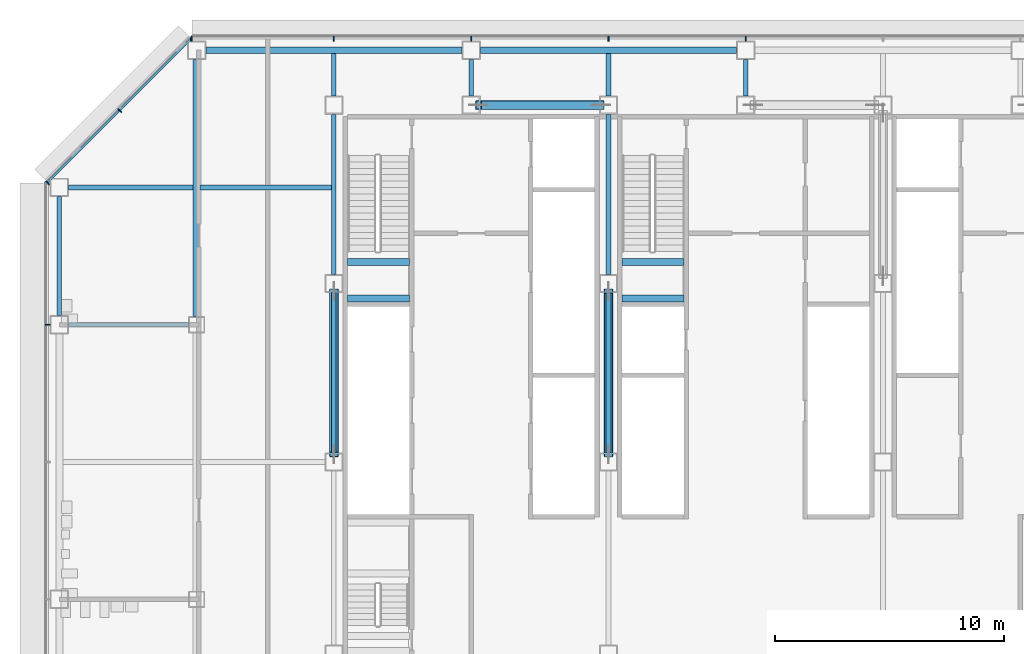
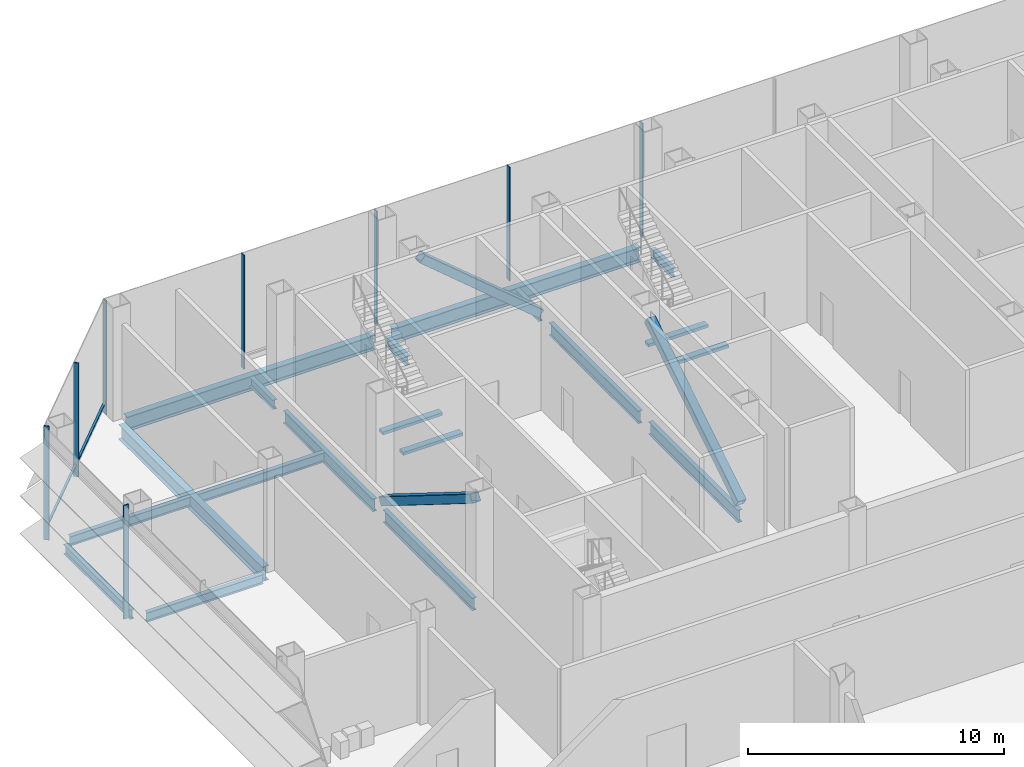
# One storey, part 9 of 23: 19 beams, 12 members, 3 elements without a shape of their own.
"""IFC4 building model written with IfcOpenShell, lengths in metres."""

from ifc_helpers import new_model, si_unit, direction, frame, origin, origin_2d, place, context, subcontext, project, spatial, rectangle, hollow_rectangle, i_section, extrude, material, material_profile, profile_set, type_object, element, aggregate, save


model = new_model("IFC4")

# Units and contexts
model_context = context("Model", 3, precision=1e-05, world=origin(), true_north=direction((0.0, 1.0)))
body_context = subcontext(model_context, "Body", "Model", "MODEL_VIEW")
ifc_project = project(units=[si_unit("LENGTHUNIT", "METRE"), si_unit("AREAUNIT", "SQUARE_METRE"), si_unit("VOLUMEUNIT", "CUBIC_METRE"), si_unit("PLANEANGLEUNIT", "RADIAN"), si_unit("MASSUNIT", "GRAM", prefix="KILO")], contexts=[model_context])

# Site, building, storey
site_placement = place(None, origin())
site = spatial("IfcSite", under=ifc_project, at=site_placement, CompositionType="ELEMENT")
building_placement = place(site_placement, origin())
building = spatial("IfcBuilding", under=site, at=building_placement, Name="Sorahane Residences", CompositionType="ELEMENT")
storey_placement = place(building_placement, frame((0.0, 0.0, 114.199951171875)))
storey = spatial("IfcBuildingStorey", under=building, at=storey_placement, Name="L25", CompositionType="ELEMENT", Elevation=114.199951171875)

# Members
ifc_material_1 = material(Name="Steel Q355B", Category="steel")
ifc_material_profile_1 = material_profile(ifc_material_1, hollow_rectangle(XDim=0.39990234375, YDim=0.39990234375, WallThickness=0.02001953125, InnerFilletRadius=0.010009765625, OuterFilletRadius=0.030029296875, at=origin_2d()), Name="RHS 400x400x20")
ifc_profile_set_1 = profile_set([ifc_material_profile_1], Name="Steel Q355B")
member_type_1 = type_object("IfcMemberType", Name="Core brace RHS 400x400x20 Q355B", PredefinedType="BRACE", material=ifc_profile_set_1)
member_1_placement = place(storey_placement, frame((17.67724609375, 45.60009765625, 0.13525390625), z_axis=(-0.76556525425, 0.0, 0.643358252831), x_axis=(0.0, -1.0, 0.0)))
element("IfcMember", 1, at=member_1_placement, inside=storey, type_object=member_type_1, Name="Core brace L25 y45.6-2", PredefinedType="BRACE", context=body_context, shape_type="SweptSolid", body=[
    extrude(hollow_rectangle(XDim=0.39990234375, YDim=0.39990234375, WallThickness=0.02001953125, InnerFilletRadius=0.010009765625, OuterFilletRadius=0.030029296875, at=origin_2d()), origin(), (0.0, 0.0, 1.0), 6.994140625),
])
for number, where, z_axis, x_axis, name in (
    (2, (6.0, 37.463623046875, 0.160400390625), (0.0, -0.848280598061, 0.529547001647), (1.0, 0.0, 0.0), "Core brace L25 x6-2"),
    (3, (18.0, 30.33642578125, 0.160400390625), (0.0, 0.848280598061, 0.529547001647), (-1.0, 0.0, 0.0), "Core brace L25 x18-1"),
):
    element("IfcMember", number, at=place(storey_placement, frame(where, z_axis=z_axis, x_axis=x_axis)), inside=storey, type_object=member_type_1, Name=name, PredefinedType="BRACE", context=body_context, shape_type="SweptSolid", body=[
        extrude(hollow_rectangle(XDim=0.39990234375, YDim=0.39990234375, WallThickness=0.02001953125, InnerFilletRadius=0.010009765625, OuterFilletRadius=0.030029296875, at=origin_2d()), origin(), (0.0, 0.0, 1.0), 8.40185546875),
    ])

# Curtain wall, members
ifc_material_2 = material(Name="Dark low-e glass and black anodised aluminium", Category="aluminium")
curtain_wall_type = type_object("IfcCurtainWallType", Name="Curtain wall CW-4 Sky floor frameless wall", PredefinedType="NOTDEFINED", material=ifc_material_2)
curtain_wall_1_placement = place(storey_placement, origin())
curtain_wall_1 = element("IfcCurtainWall", 4, at=curtain_wall_1_placement, inside=storey, type_object=curtain_wall_type, Name="CW-4 curtain wall L25 N1", PredefinedType="NOTDEFINED")
ifc_material_3 = material(Name="Black anodised aluminium", Category="aluminium")
ifc_material_profile_2 = material_profile(ifc_material_3, rectangle(XDim=0.219970703125, YDim=0.050048828125, at=origin_2d()), Name="Curtain wall mullion CW-4 black anodised aluminium 50x220")
ifc_profile_set_2 = profile_set([ifc_material_profile_2], Name="Black anodised aluminium")
member_type_2 = type_object("IfcMemberType", Name="Curtain wall mullion CW-4 black anodised aluminium 50x220", PredefinedType="MULLION", material=ifc_profile_set_2)
member_2_placement = place(storey_placement, frame((24.0, 48.510009765625, -0.219970703125), z_axis=(0.0, 0.0, 1.0), x_axis=(0.0, 1.0, 0.0)))
member_2 = element("IfcMember", 5, at=member_2_placement, type_object=member_type_2, Name="CW-4 mullion L25 N1.6", PredefinedType="MULLION", context=body_context, shape_type="SweptSolid", body=[
    extrude(rectangle(XDim=0.219970703125, YDim=0.050048828125, at=origin_2d()), origin(), (0.0, 0.0, 1.0), 5.43994140625),
])
member_3_placement = place(storey_placement, frame((18.0, 48.510009765625, -0.219970703125), z_axis=(0.0, 0.0, 1.0), x_axis=(0.0, 1.0, 0.0)))
member_3 = element("IfcMember", 6, at=member_3_placement, type_object=member_type_2, Name="CW-4 mullion L25 N1.7", PredefinedType="MULLION", context=body_context, shape_type="SweptSolid", body=[
    extrude(rectangle(XDim=0.219970703125, YDim=0.050048828125, at=origin_2d()), origin(), (0.0, 0.0, 1.0), 5.43994140625),
])
member_4_placement = place(storey_placement, frame((12.0, 48.510009765625, -0.219970703125), z_axis=(0.0, 0.0, 1.0), x_axis=(0.0, 1.0, 0.0)))
member_4 = element("IfcMember", 7, at=member_4_placement, type_object=member_type_2, Name="CW-4 mullion L25 N1.8", PredefinedType="MULLION", context=body_context, shape_type="SweptSolid", body=[
    extrude(rectangle(XDim=0.219970703125, YDim=0.050048828125, at=origin_2d()), origin(), (0.0, 0.0, 1.0), 5.43994140625),
])
member_5_placement = place(storey_placement, frame((6.0, 48.510009765625, -0.219970703125), z_axis=(0.0, 0.0, 1.0), x_axis=(0.0, 1.0, 0.0)))
member_5 = element("IfcMember", 8, at=member_5_placement, type_object=member_type_2, Name="CW-4 mullion L25 N1.9", PredefinedType="MULLION", context=body_context, shape_type="SweptSolid", body=[
    extrude(rectangle(XDim=0.219970703125, YDim=0.050048828125, at=origin_2d()), origin(), (0.0, 0.0, 1.0), 5.43994140625),
])
member_6_placement = place(storey_placement, frame((-0.2236328125, 48.510009765625, -0.219970703125), z_axis=(0.0, 0.0, 1.0), x_axis=(0.0, 1.0, 0.0)))
member_6 = element("IfcMember", 9, at=member_6_placement, type_object=member_type_2, Name="CW-4 mullion L25 N1.10", PredefinedType="MULLION", context=body_context, shape_type="SweptSolid", body=[
    extrude(rectangle(XDim=0.219970703125, YDim=0.050048828125, at=origin_2d()), origin(), (0.0, 0.0, 1.0), 5.43994140625),
])
aggregate(curtain_wall_1, [member_2, member_3, member_4, member_5, member_6])

curtain_wall_2_placement = place(storey_placement, origin())
curtain_wall_2 = element("IfcCurtainWall", 10, at=curtain_wall_2_placement, inside=storey, type_object=curtain_wall_type, Name="CW-4 curtain wall L25 NW1", PredefinedType="NOTDEFINED")
member_7_placement = place(storey_placement, frame((-3.360595703125, 45.360595703125, -0.219970703125), z_axis=(0.0, 0.0, 1.0), x_axis=(-0.707106781187, 0.707106781187, 0.0)))
member_7 = element("IfcMember", 11, at=member_7_placement, type_object=member_type_2, Name="CW-4 mullion L25 NW1.2", PredefinedType="MULLION", context=body_context, shape_type="SweptSolid", body=[
    extrude(rectangle(XDim=0.219970703125, YDim=0.050048828125, at=origin_2d()), origin(), (0.0, 0.0, 1.0), 5.43994140625),
])
member_8_placement = place(storey_placement, frame((-6.518798828125, 42.20263671875, -0.219970703125), z_axis=(0.0, 0.0, 1.0), x_axis=(-0.707106781187, 0.707106781187, 0.0)))
member_8 = element("IfcMember", 12, at=member_8_placement, type_object=member_type_2, Name="CW-4 mullion L25 NW1.3", PredefinedType="MULLION", context=body_context, shape_type="SweptSolid", body=[
    extrude(rectangle(XDim=0.219970703125, YDim=0.050048828125, at=origin_2d()), origin(), (0.0, 0.0, 1.0), 5.43994140625),
])

# Curtain wall, member
curtain_wall_3_placement = place(storey_placement, origin())
curtain_wall_3 = element("IfcCurtainWall", 13, at=curtain_wall_3_placement, inside=storey, type_object=curtain_wall_type, Name="CW-4 curtain wall L25 W1", PredefinedType="NOTDEFINED")
member_9_placement = place(storey_placement, frame((-6.510009765625, 36.0, -0.219970703125), z_axis=(0.0, 0.0, 1.0), x_axis=(-1.0, 0.0, 0.0)))
member_9 = element("IfcMember", 14, at=member_9_placement, type_object=member_type_2, Name="CW-4 mullion L25 W1.2", PredefinedType="MULLION", context=body_context, shape_type="SweptSolid", body=[
    extrude(rectangle(XDim=0.219970703125, YDim=0.050048828125, at=origin_2d()), origin(), (0.0, 0.0, 1.0), 5.43994140625),
])
aggregate(curtain_wall_3, [member_9])

# Member
ifc_material_4 = material(Name="Black anodised aluminium", Category="aluminium")
ifc_material_profile_3 = material_profile(ifc_material_4, rectangle(XDim=0.10009765625, YDim=0.06005859375, at=origin_2d()), Name="Curtain wall transom CW-4 black anodised aluminium 60x100")
ifc_profile_set_3 = profile_set([ifc_material_profile_3], Name="Black anodised aluminium")
member_type_3 = type_object("IfcMemberType", Name="Curtain wall transom CW-4 black anodised aluminium 60x100", PredefinedType="USERDEFINED", material=ifc_profile_set_3)
member_10_placement = place(storey_placement, frame((-0.234375, 48.51513671875, 0.35009765625), z_axis=(-0.707106781187, -0.707106781187, 0.0), x_axis=(0.707106781187, -0.707106781187, 0.0)))
member_10 = element("IfcMember", 15, at=member_10_placement, type_object=member_type_3, Name="CW-4 transom L25 NW1", ObjectType="TRANSOM", PredefinedType="USERDEFINED", context=body_context, shape_type="SweptSolid", body=[
    extrude(rectangle(XDim=0.10009765625, YDim=0.06005859375, at=origin_2d()), origin(), (0.0, 0.0, 1.0), 8.88232421875),
])

aggregate(curtain_wall_2, [member_7, member_8, member_10])

# Beams
ifc_material_5 = material(Name="Concrete C40", Category="concrete")
ifc_material_profile_4 = material_profile(ifc_material_5, rectangle(XDim=0.300048828125, YDim=0.139892578125, at=origin_2d()), Name="300x140")
ifc_profile_set_4 = profile_set([ifc_material_profile_4], Name="Concrete C40")
beam_type_1 = type_object("IfcBeamType", Name="RC landing beam 300 x 140 Concrete C40", PredefinedType="BEAM", material=ifc_profile_set_4)
for number, where, z_axis, x_axis, name in (
    (16, (6.60009765625, 37.14990234375, 2.429931640625), (1.0, 0.0, 0.0), (0.0, 1.0, 0.0), "Landing beam"),
    (17, (6.60009765625, 38.75, 2.429931640625), (1.0, 0.0, 0.0), (0.0, 1.0, 0.0), "Landing beam"),
    (18, (18.60009765625, 37.14990234375, 2.429931640625), (1.0, 0.0, 0.0), (0.0, 1.0, 0.0), "Landing beam"),
    (19, (18.60009765625, 38.75, 2.429931640625), (1.0, 0.0, 0.0), (0.0, 1.0, 0.0), "Landing beam"),
):
    element("IfcBeam", number, at=place(storey_placement, frame(where, z_axis=z_axis, x_axis=x_axis)), inside=storey, type_object=beam_type_1, Name=name, PredefinedType="BEAM", context=body_context, shape_type="SweptSolid", body=[
        extrude(rectangle(XDim=0.300048828125, YDim=0.139892578125, at=origin_2d()), origin(), (0.0, 0.0, 1.0), 2.699951171875),
    ])
ifc_material_6 = material(Name="Steel Q355B", Category="steel")
ifc_material_profile_5 = material_profile(ifc_material_6, i_section(OverallWidth=0.199951171875, OverallDepth=0.449951171875, WebThickness=0.009033203125, FlangeThickness=0.013916015625, FilletRadius=0.02001953125, at=origin_2d()), Name="HN 450x200x9x14")
ifc_profile_set_5 = profile_set([ifc_material_profile_5], Name="Steel Q355B")
beam_type_2 = type_object("IfcBeamType", Name="Steel floor beam HN 450x200x9x14 Q355B", PredefinedType="BEAM", material=ifc_profile_set_5)
beam_1_placement = place(storey_placement, frame((-5.60009765625, 36.0, -0.445068359375), z_axis=(1.0, 0.0, 0.0), x_axis=(0.0, 1.0, 0.0)))
element("IfcBeam", 20, at=beam_1_placement, inside=storey, type_object=beam_type_2, Name="Beam L25 013", PredefinedType="BEAM", context=body_context, shape_type="SweptSolid", body=[
    extrude(i_section(OverallWidth=0.199951171875, OverallDepth=0.449951171875, WebThickness=0.009033203125, FlangeThickness=0.013916015625, FilletRadius=0.02001953125, at=origin_2d()), origin(), (0.0, 0.0, 1.0), 5.25),
])
beam_2_placement = place(storey_placement, frame((-6.0, 36.39990234375, -0.445068359375), z_axis=(0.0, 1.0, 0.0), x_axis=(-1.0, 0.0, 0.0)))
element("IfcBeam", 21, at=beam_2_placement, inside=storey, type_object=beam_type_2, Name="Beam L25 023", PredefinedType="BEAM", context=body_context, shape_type="SweptSolid", body=[
    extrude(i_section(OverallWidth=0.199951171875, OverallDepth=0.449951171875, WebThickness=0.009033203125, FlangeThickness=0.013916015625, FilletRadius=0.02001953125, at=origin_2d()), origin(), (0.0, 0.0, 1.0), 5.2001953125),
])
beam_3_placement = place(storey_placement, frame((6.0, 46.0, -0.445068359375), z_axis=(0.0, 1.0, 0.0), x_axis=(-1.0, 0.0, 0.0)))
element("IfcBeam", 22, at=beam_3_placement, inside=storey, type_object=beam_type_2, Name="Beam L25 033", PredefinedType="BEAM", context=body_context, shape_type="SweptSolid", body=[
    extrude(i_section(OverallWidth=0.199951171875, OverallDepth=0.449951171875, WebThickness=0.009033203125, FlangeThickness=0.013916015625, FilletRadius=0.02001953125, at=origin_2d()), origin(), (0.0, 0.0, 1.0), 1.85009765625),
])
beam_4_placement = place(storey_placement, frame((12.0, 46.0, -0.445068359375), z_axis=(0.0, 1.0, 0.0), x_axis=(-1.0, 0.0, 0.0)))
element("IfcBeam", 23, at=beam_4_placement, inside=storey, type_object=beam_type_2, Name="Beam L25 035", PredefinedType="BEAM", context=body_context, shape_type="SweptSolid", body=[
    extrude(i_section(OverallWidth=0.199951171875, OverallDepth=0.449951171875, WebThickness=0.009033203125, FlangeThickness=0.013916015625, FilletRadius=0.02001953125, at=origin_2d()), origin(), (0.0, 0.0, 1.0), 1.60009765625),
])
beam_5_placement = place(storey_placement, frame((18.0, 46.0, -0.445068359375), z_axis=(0.0, 1.0, 0.0), x_axis=(-1.0, 0.0, 0.0)))
element("IfcBeam", 24, at=beam_5_placement, inside=storey, type_object=beam_type_2, Name="Beam L25 041", PredefinedType="BEAM", context=body_context, shape_type="SweptSolid", body=[
    extrude(i_section(OverallWidth=0.199951171875, OverallDepth=0.449951171875, WebThickness=0.009033203125, FlangeThickness=0.013916015625, FilletRadius=0.02001953125, at=origin_2d()), origin(), (0.0, 0.0, 1.0), 1.85009765625),
])
beam_6_placement = place(storey_placement, frame((24.0, 46.0, -0.445068359375), z_axis=(0.0, 1.0, 0.0), x_axis=(-1.0, 0.0, 0.0)))
element("IfcBeam", 25, at=beam_6_placement, inside=storey, type_object=beam_type_2, Name="Beam L25 043", PredefinedType="BEAM", context=body_context, shape_type="SweptSolid", body=[
    extrude(i_section(OverallWidth=0.199951171875, OverallDepth=0.449951171875, WebThickness=0.009033203125, FlangeThickness=0.013916015625, FilletRadius=0.02001953125, at=origin_2d()), origin(), (0.0, 0.0, 1.0), 1.60009765625),
])
beam_7_placement = place(storey_placement, frame((-5.60009765625, 42.0, -0.445068359375), z_axis=(1.0, 0.0, 0.0), x_axis=(0.0, 1.0, 0.0)))
element("IfcBeam", 26, at=beam_7_placement, inside=storey, type_object=beam_type_2, Name="Beam L25 089", PredefinedType="BEAM", context=body_context, shape_type="SweptSolid", body=[
    extrude(i_section(OverallWidth=0.199951171875, OverallDepth=0.449951171875, WebThickness=0.009033203125, FlangeThickness=0.013916015625, FilletRadius=0.02001953125, at=origin_2d()), origin(), (0.0, 0.0, 1.0), 5.4501953125),
])
beam_8_placement = place(storey_placement, frame((0.14990234375, 42.0, -0.445068359375), z_axis=(1.0, 0.0, 0.0), x_axis=(0.0, 1.0, 0.0)))
element("IfcBeam", 27, at=beam_8_placement, inside=storey, type_object=beam_type_2, Name="Beam L25 090", PredefinedType="BEAM", context=body_context, shape_type="SweptSolid", body=[
    extrude(i_section(OverallWidth=0.199951171875, OverallDepth=0.449951171875, WebThickness=0.009033203125, FlangeThickness=0.013916015625, FilletRadius=0.02001953125, at=origin_2d()), origin(), (0.0, 0.0, 1.0), 5.75),
])
ifc_material_7 = material(Name="Steel Q355B", Category="steel")
ifc_material_profile_6 = material_profile(ifc_material_7, i_section(OverallWidth=0.199951171875, OverallDepth=0.60009765625, WebThickness=0.010986328125, FlangeThickness=0.01708984375, FilletRadius=0.02392578125, at=origin_2d()), Name="HN 600x200x11x17")
ifc_profile_set_6 = profile_set([ifc_material_profile_6], Name="Steel Q355B")
beam_type_3 = type_object("IfcBeamType", Name="Steel floor beam HN 600x200x11x17 Q355B", PredefinedType="BEAM", material=ifc_profile_set_6)
for number, where, z_axis, x_axis, name in (
    (28, (6.0, 30.39990234375, -0.52001953125), (0.0, 1.0, 0.0), (-1.0, 0.0, 0.0), "Beam L25 031"),
    (29, (6.0, 38.199951171875, -0.52001953125), (0.0, 1.0, 0.0), (-1.0, 0.0, 0.0), "Beam L25 032"),
    (30, (18.0, 30.39990234375, -0.52001953125), (0.0, 1.0, 0.0), (-1.0, 0.0, 0.0), "Beam L25 039"),
    (31, (18.0, 38.199951171875, -0.52001953125), (0.0, 1.0, 0.0), (-1.0, 0.0, 0.0), "Beam L25 040"),
):
    element("IfcBeam", number, at=place(storey_placement, frame(where, z_axis=z_axis, x_axis=x_axis)), inside=storey, type_object=beam_type_3, Name=name, PredefinedType="BEAM", context=body_context, shape_type="SweptSolid", body=[
        extrude(i_section(OverallWidth=0.199951171875, OverallDepth=0.60009765625, WebThickness=0.010986328125, FlangeThickness=0.01708984375, FilletRadius=0.02392578125, at=origin_2d()), origin(), (0.0, 0.0, 1.0), 7.0),
    ])
ifc_material_8 = material(Name="Steel Q355B", Category="steel")
ifc_material_profile_7 = material_profile(ifc_material_8, i_section(OverallWidth=0.300048828125, OverallDepth=0.699951171875, WebThickness=0.012939453125, FlangeThickness=0.02392578125, FilletRadius=0.028076171875, at=origin_2d()), Name="HN 700x300x13x24")
ifc_profile_set_7 = profile_set([ifc_material_profile_7], Name="Steel Q355B")
beam_type_4 = type_object("IfcBeamType", Name="Steel floor beam HN 700x300x13x24 Q355B", PredefinedType="BEAM", material=ifc_profile_set_7)
for number, where, z_axis, x_axis, name in (
    (32, (0.39990234375, 48.0, -0.570068359375), (1.0, 0.0, 0.0), (0.0, 1.0, 0.0), "Beam L25 015"),
    (33, (12.39990234375, 48.0, -0.570068359375), (1.0, 0.0, 0.0), (0.0, 1.0, 0.0), "Beam L25 016"),
):
    element("IfcBeam", number, at=place(storey_placement, frame(where, z_axis=z_axis, x_axis=x_axis)), inside=storey, type_object=beam_type_4, Name=name, PredefinedType="BEAM", context=body_context, shape_type="SweptSolid", body=[
        extrude(i_section(OverallWidth=0.300048828125, OverallDepth=0.699951171875, WebThickness=0.012939453125, FlangeThickness=0.02392578125, FilletRadius=0.028076171875, at=origin_2d()), origin(), (0.0, 0.0, 1.0), 11.2001953125),
    ])
beam_9_placement = place(storey_placement, frame((0.0, 36.35009765625, -0.570068359375), z_axis=(0.0, 1.0, 0.0), x_axis=(-1.0, 0.0, 0.0)))
element("IfcBeam", 34, at=beam_9_placement, inside=storey, type_object=beam_type_4, Name="Beam L25 027", PredefinedType="BEAM", context=body_context, shape_type="SweptSolid", body=[
    extrude(i_section(OverallWidth=0.300048828125, OverallDepth=0.699951171875, WebThickness=0.012939453125, FlangeThickness=0.02392578125, FilletRadius=0.028076171875, at=origin_2d()), origin(), (0.0, 0.0, 1.0), 11.25),
])

save(model, "model.ifc")
